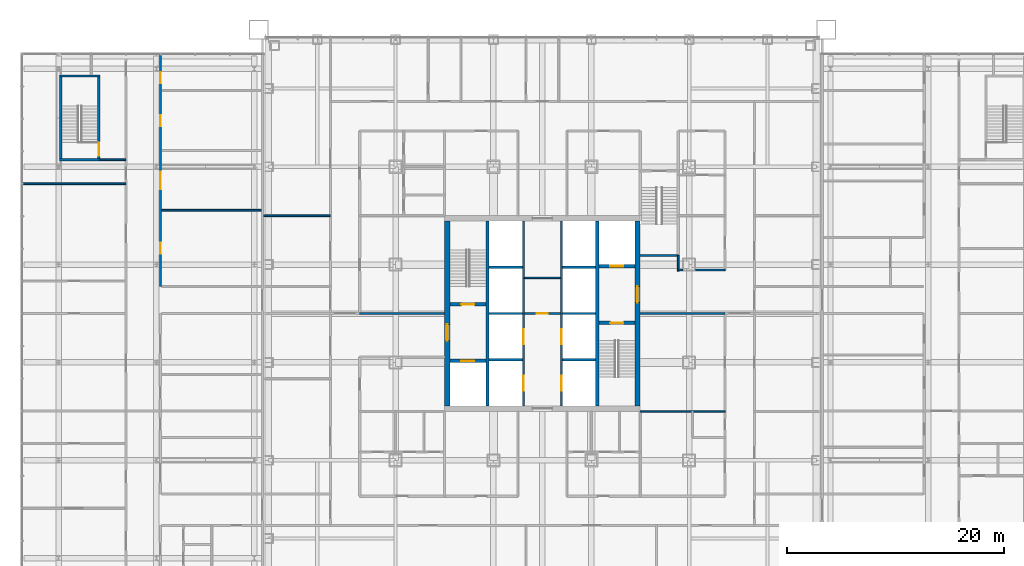
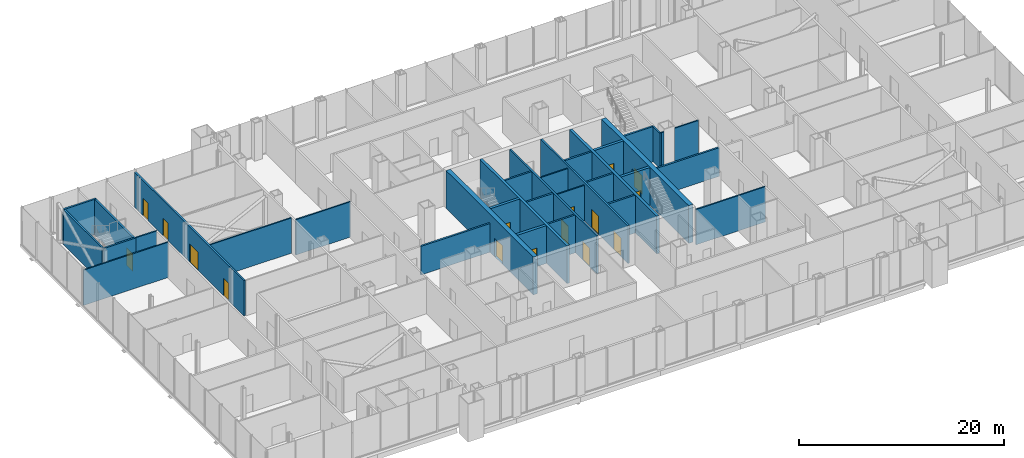
# One storey, part 17 of 25: 34 walls, 16 doors, 16 openings.
"""IFC4 building model written with IfcOpenShell, lengths in metres."""

from ifc_helpers import new_model, si_unit, direction, frame, frame_2d, origin, place, context, subcontext, project, spatial, rectangle, extrude, material, layer, layer_set, type_object, element, fill, save


model = new_model("IFC4")

# Units and contexts
model_context = context("Model", 3, precision=1e-05, world=origin(), true_north=direction((0.0, 1.0)))
body_context = subcontext(model_context, "Body", "Model", "MODEL_VIEW")
ifc_project = project(units=[si_unit("LENGTHUNIT", "METRE"), si_unit("AREAUNIT", "SQUARE_METRE"), si_unit("VOLUMEUNIT", "CUBIC_METRE"), si_unit("PLANEANGLEUNIT", "RADIAN"), si_unit("MASSUNIT", "GRAM", prefix="KILO")], contexts=[model_context])

# Site, building, storey
site_placement = place(None, origin())
site = spatial("IfcSite", under=ifc_project, at=site_placement, CompositionType="ELEMENT")
building_placement = place(site_placement, origin())
building = spatial("IfcBuilding", under=site, at=building_placement, Name="Malebo Sky Hospital", CompositionType="ELEMENT")
storey_placement = place(building_placement, frame((0.0, 0.0, 16.5)))
storey = spatial("IfcBuildingStorey", under=building, at=storey_placement, Name="L03", CompositionType="ELEMENT", Elevation=16.5)

# Wall, openings, doors
ifc_material_1 = material(Name="Concrete C80/95", Category="concrete")
ifc_layer_1 = layer(ifc_material_1, 0.199951171875)
ifc_layer_set_1 = layer_set([ifc_layer_1], Name="CORE INNER WALL 200")
wall_type_1 = type_object("IfcWallType", Name="CORE INNER WALL 200", PredefinedType="SHEAR", material=ifc_layer_set_1)
wall_1_placement = place(storey_placement, frame((58.25, 53.5, 0.0), z_axis=(0.0, 0.0, 1.0), x_axis=(0.0, 1.0, 0.0)))
wall_1 = element("IfcWall", 1, at=wall_1_placement, inside=storey, type_object=wall_type_1, Name="Core wall LW L03", PredefinedType="SHEAR", context=body_context, shape_type="SweptSolid", body=[
    extrude(rectangle(XDim=17.0, YDim=0.199951171875, at=frame_2d((8.5, 0.0))), origin(), (0.0, 0.0, 1.0), 4.5),
])
opening_1_placement = place(wall_1_placement, frame((1.375, 0.0, 0.0)))
opening_1 = element("IfcOpeningElement", 2, at=opening_1_placement, cuts=wall_1, Name="Opening LD1", PredefinedType="OPENING", context=body_context, shape_type="SweptSolid", body=[
    extrude(rectangle(XDim=1.39990234375, YDim=2.199951171875, at=frame_2d((0.699951171875, 1.10009765625))), frame((0.0, 0.10986328125, 0.0), z_axis=(0.0, -1.0, 0.0), x_axis=(1.0, 0.0, 0.0)), (0.0, 0.0, 1.0), 0.219970703125),
])
opening_2_placement = place(wall_1_placement, frame((5.675048828125, 0.0, 0.0)))
opening_2 = element("IfcOpeningElement", 3, at=opening_2_placement, cuts=wall_1, Name="Opening LD1", PredefinedType="OPENING", context=body_context, shape_type="SweptSolid", body=[
    extrude(rectangle(XDim=1.39990234375, YDim=2.199951171875, at=frame_2d((0.699951171875, 1.10009765625))), frame((0.0, 0.10986328125, 0.0), z_axis=(0.0, -1.0, 0.0), x_axis=(1.0, 0.0, 0.0)), (0.0, 0.0, 1.0), 0.219970703125),
])
ifc_material_2 = material(Name="Stainless steel sliding landing door", Category="steel")
door_type_1 = type_object("IfcDoorType", Name="LIFT LANDING DOOR 1400", OperationType="SLIDING_TO_LEFT", PredefinedType="DOOR", material=ifc_material_2)
door_1_placement = place(opening_1_placement, origin())
door_1 = element("IfcDoor", 4, at=door_1_placement, inside=storey, type_object=door_type_1, Name="Lift W1 landing door", OperationType="SLIDING_TO_LEFT", OverallHeight=2.199951171875, OverallWidth=1.39990234375, PredefinedType="DOOR", context=body_context, shape_type="SweptSolid", body=[
    extrude(rectangle(XDim=1.39990234375, YDim=2.199951171875, at=frame_2d((0.699951171875, 1.10009765625))), frame((0.0, 0.02490234375, 0.0), z_axis=(0.0, -1.0, 0.0), x_axis=(1.0, 0.0, 0.0)), (0.0, 0.0, 1.0), 0.050048828125),
])
fill(opening_1, door_1)
door_2_placement = place(opening_2_placement, origin())
door_2 = element("IfcDoor", 5, at=door_2_placement, inside=storey, type_object=door_type_1, Name="Lift W2 landing door", OperationType="SLIDING_TO_LEFT", OverallHeight=2.199951171875, OverallWidth=1.39990234375, PredefinedType="DOOR", context=body_context, shape_type="SweptSolid", body=[
    extrude(rectangle(XDim=1.39990234375, YDim=2.199951171875, at=frame_2d((0.699951171875, 1.10009765625))), frame((0.0, 0.02490234375, 0.0), z_axis=(0.0, -1.0, 0.0), x_axis=(1.0, 0.0, 0.0)), (0.0, 0.0, 1.0), 0.050048828125),
])
fill(opening_2, door_2)

wall_2_placement = place(storey_placement, frame((61.75, 53.5, 0.0), z_axis=(0.0, 0.0, 1.0), x_axis=(0.0, 1.0, 0.0)))
wall_2 = element("IfcWall", 6, at=wall_2_placement, inside=storey, type_object=wall_type_1, Name="Core wall LE L03", PredefinedType="SHEAR", context=body_context, shape_type="SweptSolid", body=[
    extrude(rectangle(XDim=17.0, YDim=0.199951171875, at=frame_2d((8.5, 0.0))), origin(), (0.0, 0.0, 1.0), 4.5),
])
opening_3_placement = place(wall_2_placement, frame((1.375, 0.0, 0.0)))
opening_3 = element("IfcOpeningElement", 7, at=opening_3_placement, cuts=wall_2, Name="Opening LD1", PredefinedType="OPENING", context=body_context, shape_type="SweptSolid", body=[
    extrude(rectangle(XDim=1.39990234375, YDim=2.199951171875, at=frame_2d((0.699951171875, 1.10009765625))), frame((0.0, 0.10986328125, 0.0), z_axis=(0.0, -1.0, 0.0), x_axis=(1.0, 0.0, 0.0)), (0.0, 0.0, 1.0), 0.219970703125),
])
opening_4_placement = place(wall_2_placement, frame((5.675048828125, 0.0, 0.0)))
opening_4 = element("IfcOpeningElement", 8, at=opening_4_placement, cuts=wall_2, Name="Opening LD1", PredefinedType="OPENING", context=body_context, shape_type="SweptSolid", body=[
    extrude(rectangle(XDim=1.39990234375, YDim=2.199951171875, at=frame_2d((0.699951171875, 1.10009765625))), frame((0.0, 0.10986328125, 0.0), z_axis=(0.0, -1.0, 0.0), x_axis=(1.0, 0.0, 0.0)), (0.0, 0.0, 1.0), 0.219970703125),
])
door_3_placement = place(opening_3_placement, origin())
door_3 = element("IfcDoor", 9, at=door_3_placement, inside=storey, type_object=door_type_1, Name="Lift E1 landing door", OperationType="SLIDING_TO_LEFT", OverallHeight=2.199951171875, OverallWidth=1.39990234375, PredefinedType="DOOR", context=body_context, shape_type="SweptSolid", body=[
    extrude(rectangle(XDim=1.39990234375, YDim=2.199951171875, at=frame_2d((0.699951171875, 1.10009765625))), frame((0.0, 0.02490234375, 0.0), z_axis=(0.0, -1.0, 0.0), x_axis=(1.0, 0.0, 0.0)), (0.0, 0.0, 1.0), 0.050048828125),
])
fill(opening_3, door_3)
door_4_placement = place(opening_4_placement, origin())
door_4 = element("IfcDoor", 10, at=door_4_placement, inside=storey, type_object=door_type_1, Name="Lift E2 landing door", OperationType="SLIDING_TO_LEFT", OverallHeight=2.199951171875, OverallWidth=1.39990234375, PredefinedType="DOOR", context=body_context, shape_type="SweptSolid", body=[
    extrude(rectangle(XDim=1.39990234375, YDim=2.199951171875, at=frame_2d((0.699951171875, 1.10009765625))), frame((0.0, 0.02490234375, 0.0), z_axis=(0.0, -1.0, 0.0), x_axis=(1.0, 0.0, 0.0)), (0.0, 0.0, 1.0), 0.050048828125),
])
fill(opening_4, door_4)

# Walls
for number, where, z_axis, x_axis, name in (
    (11, (55.10009765625, 57.75, 0.0), (0.0, 0.0, 1.0), (1.0, 0.0, 0.0), "Core wall SW0 L03"),
    (12, (61.85009765625, 57.75, 0.0), (0.0, 0.0, 1.0), (1.0, 0.0, 0.0), "Core wall SE0 L03"),
    (13, (55.10009765625, 62.0, 0.0), (0.0, 0.0, 1.0), (1.0, 0.0, 0.0), "Core wall SW1 L03"),
    (14, (61.85009765625, 62.0, 0.0), (0.0, 0.0, 1.0), (1.0, 0.0, 0.0), "Core wall SE1 L03"),
    (15, (55.10009765625, 66.25, 0.0), (0.0, 0.0, 1.0), (1.0, 0.0, 0.0), "Core wall SW2 L03"),
    (16, (61.85009765625, 66.25, 0.0), (0.0, 0.0, 1.0), (1.0, 0.0, 0.0), "Core wall SE2 L03"),
):
    element("IfcWall", number, at=place(storey_placement, frame(where, z_axis=z_axis, x_axis=x_axis)), inside=storey, type_object=wall_type_1, Name=name, PredefinedType="SHEAR", context=body_context, shape_type="SweptSolid", body=[
        extrude(rectangle(XDim=3.0498046875, YDim=0.199951171875, at=frame_2d((1.52490234375, 0.0))), origin(), (0.0, 0.0, 1.0), 4.5),
    ])
ifc_layer_2 = layer(ifc_material_1, 0.300048828125)
ifc_layer_set_2 = layer_set([ifc_layer_2], Name="CORE INNER WALL 300")
wall_type_2 = type_object("IfcWallType", Name="CORE INNER WALL 300", PredefinedType="SHEAR", material=ifc_layer_set_2)
for number, where, z_axis, x_axis, name in (
    (17, (54.949951171875, 53.5, 0.0), (0.0, 0.0, 1.0), (0.0, 1.0, 0.0), "Core wall XW L03"),
    (18, (65.050048828125, 53.5, 0.0), (0.0, 0.0, 1.0), (0.0, 1.0, 0.0), "Core wall XE L03"),
):
    element("IfcWall", number, at=place(storey_placement, frame(where, z_axis=z_axis, x_axis=x_axis)), inside=storey, type_object=wall_type_2, Name=name, PredefinedType="SHEAR", context=body_context, shape_type="SweptSolid", body=[
        extrude(rectangle(XDim=17.0, YDim=0.300048828125, at=frame_2d((8.5, 0.0))), origin(), (0.0, 0.0, 1.0), 4.5),
    ])

# Wall, opening, door
wall_3_placement = place(storey_placement, frame((51.5, 62.85009765625, 0.0), z_axis=(0.0, 0.0, 1.0), x_axis=(1.0, 0.0, 0.0)))
wall_3 = element("IfcWall", 19, at=wall_3_placement, inside=storey, type_object=wall_type_2, Name="Core wall W1 L03", PredefinedType="SHEAR", context=body_context, shape_type="SweptSolid", body=[
    extrude(rectangle(XDim=3.300048828125, YDim=0.300048828125, at=frame_2d((1.64990234375, 0.0))), origin(), (0.0, 0.0, 1.0), 4.5),
])
opening_5_placement = place(wall_3_placement, frame((1.050048828125, 0.0, 0.0)))
opening_5 = element("IfcOpeningElement", 20, at=opening_5_placement, cuts=wall_3, Name="Opening D08", PredefinedType="OPENING", context=body_context, shape_type="SweptSolid", body=[
    extrude(rectangle(XDim=1.199951171875, YDim=2.10009765625, at=frame_2d((0.60009765625, 1.050048828125))), frame((0.0, 0.159912109375, 0.0), z_axis=(0.0, -1.0, 0.0), x_axis=(1.0, 0.0, 0.0)), (0.0, 0.0, 1.0), 0.320068359375),
])
ifc_material_3 = material(Name="Hardwood-faced door leaf in steel frame", Category="steel")
door_type_2 = type_object("IfcDoorType", Name="STAIR DOOR 1200", OperationType="SINGLE_SWING_LEFT", PredefinedType="DOOR", material=ifc_material_3)
door_5_placement = place(opening_5_placement, origin())
door_5 = element("IfcDoor", 21, at=door_5_placement, inside=storey, type_object=door_type_2, Name="Stair S1 door", OperationType="SINGLE_SWING_LEFT", OverallHeight=2.10009765625, OverallWidth=1.199951171875, PredefinedType="DOOR", context=body_context, shape_type="SweptSolid", body=[
    extrude(rectangle(XDim=1.199951171875, YDim=2.10009765625, at=frame_2d((0.60009765625, 1.050048828125))), frame((0.0, 0.02490234375, 0.0), z_axis=(0.0, -1.0, 0.0), x_axis=(1.0, 0.0, 0.0)), (0.0, 0.0, 1.0), 0.050048828125),
])
fill(opening_5, door_5)

wall_4_placement = place(storey_placement, frame((51.5, 57.64990234375, 0.0), z_axis=(0.0, 0.0, 1.0), x_axis=(1.0, 0.0, 0.0)))
wall_4 = element("IfcWall", 22, at=wall_4_placement, inside=storey, type_object=wall_type_2, Name="Core wall W2 L03", PredefinedType="SHEAR", context=body_context, shape_type="SweptSolid", body=[
    extrude(rectangle(XDim=3.300048828125, YDim=0.300048828125, at=frame_2d((1.64990234375, 0.0))), origin(), (0.0, 0.0, 1.0), 4.5),
])
opening_6_placement = place(wall_4_placement, frame((1.050048828125, 0.0, 0.0)))
opening_6 = element("IfcOpeningElement", 23, at=opening_6_placement, cuts=wall_4, Name="Opening LD2", PredefinedType="OPENING", context=body_context, shape_type="SweptSolid", body=[
    extrude(rectangle(XDim=1.199951171875, YDim=2.199951171875, at=frame_2d((0.60009765625, 1.10009765625))), frame((0.0, 0.159912109375, 0.0), z_axis=(0.0, -1.0, 0.0), x_axis=(1.0, 0.0, 0.0)), (0.0, 0.0, 1.0), 0.320068359375),
])
door_type_3 = type_object("IfcDoorType", Name="FIRE-FIGHTING LIFT LANDING DOOR 1200", OperationType="SLIDING_TO_LEFT", PredefinedType="DOOR", material=ifc_material_2)
door_6_placement = place(opening_6_placement, origin())
door_6 = element("IfcDoor", 24, at=door_6_placement, inside=storey, type_object=door_type_3, Name="Lift FL1 landing door", OperationType="SLIDING_TO_LEFT", OverallHeight=2.199951171875, OverallWidth=1.199951171875, PredefinedType="DOOR", context=body_context, shape_type="SweptSolid", body=[
    extrude(rectangle(XDim=1.199951171875, YDim=2.199951171875, at=frame_2d((0.60009765625, 1.10009765625))), frame((0.0, 0.02490234375, 0.0), z_axis=(0.0, -1.0, 0.0), x_axis=(1.0, 0.0, 0.0)), (0.0, 0.0, 1.0), 0.050048828125),
])
fill(opening_6, door_6)

wall_5_placement = place(storey_placement, frame((65.199951171875, 61.14990234375, 0.0), z_axis=(0.0, 0.0, 1.0), x_axis=(1.0, 0.0, 0.0)))
wall_5 = element("IfcWall", 25, at=wall_5_placement, inside=storey, type_object=wall_type_2, Name="Core wall E1 L03", PredefinedType="SHEAR", context=body_context, shape_type="SweptSolid", body=[
    extrude(rectangle(XDim=3.300048828125, YDim=0.300048828125, at=frame_2d((1.64990234375, 0.0))), origin(), (0.0, 0.0, 1.0), 4.5),
])
opening_7_placement = place(wall_5_placement, frame((1.050048828125, 0.0, 0.0)))
opening_7 = element("IfcOpeningElement", 26, at=opening_7_placement, cuts=wall_5, Name="Opening D08", PredefinedType="OPENING", context=body_context, shape_type="SweptSolid", body=[
    extrude(rectangle(XDim=1.199951171875, YDim=2.10009765625, at=frame_2d((0.60009765625, 1.050048828125))), frame((0.0, 0.159912109375, 0.0), z_axis=(0.0, -1.0, 0.0), x_axis=(1.0, 0.0, 0.0)), (0.0, 0.0, 1.0), 0.320068359375),
])
door_7_placement = place(opening_7_placement, origin())
door_7 = element("IfcDoor", 27, at=door_7_placement, inside=storey, type_object=door_type_2, Name="Stair S2 door", OperationType="SINGLE_SWING_LEFT", OverallHeight=2.10009765625, OverallWidth=1.199951171875, PredefinedType="DOOR", context=body_context, shape_type="SweptSolid", body=[
    extrude(rectangle(XDim=1.199951171875, YDim=2.10009765625, at=frame_2d((0.60009765625, 1.050048828125))), frame((0.0, 0.02490234375, 0.0), z_axis=(0.0, -1.0, 0.0), x_axis=(1.0, 0.0, 0.0)), (0.0, 0.0, 1.0), 0.050048828125),
])
fill(opening_7, door_7)

wall_6_placement = place(storey_placement, frame((65.199951171875, 66.35009765625, 0.0), z_axis=(0.0, 0.0, 1.0), x_axis=(1.0, 0.0, 0.0)))
wall_6 = element("IfcWall", 28, at=wall_6_placement, inside=storey, type_object=wall_type_2, Name="Core wall E2 L03", PredefinedType="SHEAR", context=body_context, shape_type="SweptSolid", body=[
    extrude(rectangle(XDim=3.300048828125, YDim=0.300048828125, at=frame_2d((1.64990234375, 0.0))), origin(), (0.0, 0.0, 1.0), 4.5),
])
opening_8_placement = place(wall_6_placement, frame((1.050048828125, 0.0, 0.0)))
opening_8 = element("IfcOpeningElement", 29, at=opening_8_placement, cuts=wall_6, Name="Opening LD2", PredefinedType="OPENING", context=body_context, shape_type="SweptSolid", body=[
    extrude(rectangle(XDim=1.199951171875, YDim=2.199951171875, at=frame_2d((0.60009765625, 1.10009765625))), frame((0.0, 0.159912109375, 0.0), z_axis=(0.0, -1.0, 0.0), x_axis=(1.0, 0.0, 0.0)), (0.0, 0.0, 1.0), 0.320068359375),
])
door_8_placement = place(opening_8_placement, origin())
door_8 = element("IfcDoor", 30, at=door_8_placement, inside=storey, type_object=door_type_3, Name="Lift FL2 landing door", OperationType="SLIDING_TO_LEFT", OverallHeight=2.199951171875, OverallWidth=1.199951171875, PredefinedType="DOOR", context=body_context, shape_type="SweptSolid", body=[
    extrude(rectangle(XDim=1.199951171875, YDim=2.199951171875, at=frame_2d((0.60009765625, 1.10009765625))), frame((0.0, 0.02490234375, 0.0), z_axis=(0.0, -1.0, 0.0), x_axis=(1.0, 0.0, 0.0)), (0.0, 0.0, 1.0), 0.050048828125),
])
fill(opening_8, door_8)

ifc_layer_3 = layer(ifc_material_1, 0.5)
ifc_layer_set_3 = layer_set([ifc_layer_3], Name="CORE WALL 500")
wall_type_3 = type_object("IfcWallType", Name="CORE WALL 500", PredefinedType="SHEAR", material=ifc_layer_set_3)
wall_7_placement = place(storey_placement, frame((51.25, 53.5, 0.0), z_axis=(0.0, 0.0, 1.0), x_axis=(0.0, 1.0, 0.0)))
wall_7 = element("IfcWall", 31, at=wall_7_placement, inside=storey, type_object=wall_type_3, Name="Core wall W L03", PredefinedType="SHEAR", context=body_context, shape_type="SweptSolid", body=[
    extrude(rectangle(XDim=17.0, YDim=0.5, at=frame_2d((8.5, 0.0))), origin(), (0.0, 0.0, 1.0), 4.5),
])
opening_9_placement = place(wall_7_placement, frame((6.0, 0.0, 0.0)))
opening_9 = element("IfcOpeningElement", 32, at=opening_9_placement, cuts=wall_7, Name="Opening D07", PredefinedType="OPENING", context=body_context, shape_type="SweptSolid", body=[
    extrude(rectangle(XDim=1.5, YDim=2.199951171875, at=frame_2d((0.75, 1.10009765625))), frame((0.0, 0.260009765625, 0.0), z_axis=(0.0, -1.0, 0.0), x_axis=(1.0, 0.0, 0.0)), (0.0, 0.0, 1.0), 0.52001953125),
])
door_type_4 = type_object("IfcDoorType", Name="FIRE-FIGHTING LOBBY DOOR PAIR 1500", OperationType="DOUBLE_DOOR_SINGLE_SWING", PredefinedType="DOOR", material=ifc_material_3)
door_9_placement = place(opening_9_placement, origin())
door_9 = element("IfcDoor", 33, at=door_9_placement, inside=storey, type_object=door_type_4, Name="Fire-fighting lobby door west", OperationType="DOUBLE_DOOR_SINGLE_SWING", OverallHeight=2.199951171875, OverallWidth=1.5, PredefinedType="DOOR", context=body_context, shape_type="SweptSolid", body=[
    extrude(rectangle(XDim=1.5, YDim=2.199951171875, at=frame_2d((0.75, 1.10009765625))), frame((0.0, 0.02490234375, 0.0), z_axis=(0.0, -1.0, 0.0), x_axis=(1.0, 0.0, 0.0)), (0.0, 0.0, 1.0), 0.050048828125),
])
fill(opening_9, door_9)

wall_8_placement = place(storey_placement, frame((68.75, 53.5, 0.0), z_axis=(0.0, 0.0, 1.0), x_axis=(0.0, 1.0, 0.0)))
wall_8 = element("IfcWall", 34, at=wall_8_placement, inside=storey, type_object=wall_type_3, Name="Core wall E L03", PredefinedType="SHEAR", context=body_context, shape_type="SweptSolid", body=[
    extrude(rectangle(XDim=17.0, YDim=0.5, at=frame_2d((8.5, 0.0))), origin(), (0.0, 0.0, 1.0), 4.5),
])
opening_10_placement = place(wall_8_placement, frame((9.5, 0.0, 0.0)))
opening_10 = element("IfcOpeningElement", 35, at=opening_10_placement, cuts=wall_8, Name="Opening D07", PredefinedType="OPENING", context=body_context, shape_type="SweptSolid", body=[
    extrude(rectangle(XDim=1.5, YDim=2.199951171875, at=frame_2d((0.75, 1.10009765625))), frame((0.0, 0.260009765625, 0.0), z_axis=(0.0, -1.0, 0.0), x_axis=(1.0, 0.0, 0.0)), (0.0, 0.0, 1.0), 0.52001953125),
])
door_10_placement = place(opening_10_placement, origin())
door_10 = element("IfcDoor", 36, at=door_10_placement, inside=storey, type_object=door_type_4, Name="Fire-fighting lobby door east", OperationType="DOUBLE_DOOR_SINGLE_SWING", OverallHeight=2.199951171875, OverallWidth=1.5, PredefinedType="DOOR", context=body_context, shape_type="SweptSolid", body=[
    extrude(rectangle(XDim=1.5, YDim=2.199951171875, at=frame_2d((0.75, 1.10009765625))), frame((0.0, 0.02490234375, 0.0), z_axis=(0.0, -1.0, 0.0), x_axis=(1.0, 0.0, 0.0)), (0.0, 0.0, 1.0), 0.050048828125),
])
fill(opening_10, door_10)

# Wall, openings, doors
ifc_material_4 = material(Name="Gypsum board on steel studs", Category="steel")
ifc_layer_4 = layer(ifc_material_4, 0.199951171875)
ifc_layer_set_4 = layer_set([ifc_layer_4], Name="CORRIDOR WALL 200")
wall_type_4 = type_object("IfcWallType", Name="CORRIDOR WALL 200", PredefinedType="PARTITIONING", material=ifc_layer_set_4)
wall_9_placement = place(storey_placement, frame((24.882080078125, 64.5, 0.0), z_axis=(0.0, 0.0, 1.0), x_axis=(0.0, 1.0, 0.0)))
wall_9 = element("IfcWall", 37, at=wall_9_placement, inside=storey, type_object=wall_type_4, Name="Corridor Wall 200 WWC2C", PredefinedType="PARTITIONING", context=body_context, shape_type="SweptSolid", body=[
    extrude(rectangle(XDim=21.35009765625, YDim=0.199951171875, at=frame_2d((10.675048828125, 0.0))), origin(), (0.0, 0.0, 1.0), 4.199951171875),
])
opening_11_placement = place(wall_9_placement, frame((3.0, 0.0, 0.0)))
opening_11 = element("IfcOpeningElement", 38, at=opening_11_placement, cuts=wall_9, Name="Opening D03", PredefinedType="OPENING", context=body_context, shape_type="SweptSolid", body=[
    extrude(rectangle(XDim=1.0, YDim=2.10009765625, at=frame_2d((0.5, 1.050048828125))), frame((0.0, 0.10986328125, 0.0), z_axis=(0.0, -1.0, 0.0), x_axis=(1.0, 0.0, 0.0)), (0.0, 0.0, 1.0), 0.219970703125),
])
opening_12_placement = place(wall_9_placement, frame((8.949951171875, 0.0, 0.0)))
opening_12 = element("IfcOpeningElement", 39, at=opening_12_placement, cuts=wall_9, Name="Opening D14", PredefinedType="OPENING", context=body_context, shape_type="SweptSolid", body=[
    extrude(rectangle(XDim=1.60009765625, YDim=2.199951171875, at=frame_2d((0.800048828125, 1.10009765625))), frame((0.0, 0.10986328125, 0.0), z_axis=(0.0, -1.0, 0.0), x_axis=(1.0, 0.0, 0.0)), (0.0, 0.0, 1.0), 0.219970703125),
])
opening_13_placement = place(wall_9_placement, frame((14.75, 0.0, 0.0)))
opening_13 = element("IfcOpeningElement", 40, at=opening_13_placement, cuts=wall_9, Name="Opening D03", PredefinedType="OPENING", context=body_context, shape_type="SweptSolid", body=[
    extrude(rectangle(XDim=1.0, YDim=2.10009765625, at=frame_2d((0.5, 1.050048828125))), frame((0.0, 0.10986328125, 0.0), z_axis=(0.0, -1.0, 0.0), x_axis=(1.0, 0.0, 0.0)), (0.0, 0.0, 1.0), 0.219970703125),
])
opening_14_placement = place(wall_9_placement, frame((18.675048828125, 0.0, 0.0)))
opening_14 = element("IfcOpeningElement", 41, at=opening_14_placement, cuts=wall_9, Name="Opening D03", PredefinedType="OPENING", context=body_context, shape_type="SweptSolid", body=[
    extrude(rectangle(XDim=1.0, YDim=2.10009765625, at=frame_2d((0.5, 1.050048828125))), frame((0.0, 0.10986328125, 0.0), z_axis=(0.0, -1.0, 0.0), x_axis=(1.0, 0.0, 0.0)), (0.0, 0.0, 1.0), 0.219970703125),
])
door_type_5 = type_object("IfcDoorType", Name="DEPARTMENT DOOR PAIR 1600", OperationType="DOUBLE_DOOR_DOUBLE_SWING", PredefinedType="DOOR", material=ifc_material_3)
door_11_placement = place(opening_12_placement, origin())
door_11 = element("IfcDoor", 42, at=door_11_placement, inside=storey, type_object=door_type_5, Name="Consumables store door", OperationType="DOUBLE_DOOR_DOUBLE_SWING", OverallHeight=2.199951171875, OverallWidth=1.60009765625, PredefinedType="DOOR", context=body_context, shape_type="SweptSolid", body=[
    extrude(rectangle(XDim=1.60009765625, YDim=2.199951171875, at=frame_2d((0.800048828125, 1.10009765625))), frame((0.0, 0.02490234375, 0.0), z_axis=(0.0, -1.0, 0.0), x_axis=(1.0, 0.0, 0.0)), (0.0, 0.0, 1.0), 0.050048828125),
])
fill(opening_12, door_11)
door_type_6 = type_object("IfcDoorType", Name="ROOM DOOR 1000", OperationType="SINGLE_SWING_LEFT", PredefinedType="DOOR", material=ifc_material_3)
door_12_placement = place(opening_11_placement, origin())
door_12 = element("IfcDoor", 43, at=door_12_placement, inside=storey, type_object=door_type_6, Name="Sterile services staff base door", OperationType="SINGLE_SWING_LEFT", OverallHeight=2.10009765625, OverallWidth=1.0, PredefinedType="DOOR", context=body_context, shape_type="SweptSolid", body=[
    extrude(rectangle(XDim=1.0, YDim=2.10009765625, at=frame_2d((0.5, 1.050048828125))), frame((0.0, 0.02490234375, 0.0), z_axis=(0.0, -1.0, 0.0), x_axis=(1.0, 0.0, 0.0)), (0.0, 0.0, 1.0), 0.050048828125),
])
fill(opening_11, door_12)
door_13_placement = place(opening_13_placement, origin())
door_13 = element("IfcDoor", 44, at=door_13_placement, inside=storey, type_object=door_type_6, Name="Quality control room door", OperationType="SINGLE_SWING_LEFT", OverallHeight=2.10009765625, OverallWidth=1.0, PredefinedType="DOOR", context=body_context, shape_type="SweptSolid", body=[
    extrude(rectangle(XDim=1.0, YDim=2.10009765625, at=frame_2d((0.5, 1.050048828125))), frame((0.0, 0.02490234375, 0.0), z_axis=(0.0, -1.0, 0.0), x_axis=(1.0, 0.0, 0.0)), (0.0, 0.0, 1.0), 0.050048828125),
])
fill(opening_13, door_13)
door_14_placement = place(opening_14_placement, origin())
door_14 = element("IfcDoor", 45, at=door_14_placement, inside=storey, type_object=door_type_6, Name="Staff rest room door", OperationType="SINGLE_SWING_LEFT", OverallHeight=2.10009765625, OverallWidth=1.0, PredefinedType="DOOR", context=body_context, shape_type="SweptSolid", body=[
    extrude(rectangle(XDim=1.0, YDim=2.10009765625, at=frame_2d((0.5, 1.050048828125))), frame((0.0, 0.02490234375, 0.0), z_axis=(0.0, -1.0, 0.0), x_axis=(1.0, 0.0, 0.0)), (0.0, 0.0, 1.0), 0.050048828125),
])
fill(opening_14, door_14)

# Walls
ifc_layer_5 = layer(ifc_material_4, 0.14990234375)
ifc_layer_set_5 = layer_set([ifc_layer_5], Name="PARTITION 150")
wall_type_5 = type_object("IfcWallType", Name="PARTITION 150", PredefinedType="PARTITIONING", material=ifc_layer_set_5)
wall_10_placement = place(storey_placement, frame((40.5, 71.0, 0.0), z_axis=(0.0, 0.0, 1.0), x_axis=(-1.0, 0.0, 0.0)))
element("IfcWall", 46, at=wall_10_placement, inside=storey, type_object=wall_type_5, Name="Partition 150 WP+9.0", PredefinedType="PARTITIONING", context=body_context, shape_type="SweptSolid", body=[
    extrude(rectangle(XDim=6.14990234375, YDim=0.14990234375, at=frame_2d((3.074951171875, 0.0))), origin(), (0.0, 0.0, 1.0), 4.199951171875),
])
wall_11_placement = place(storey_placement, frame((72.5, 66.0, 0.0), z_axis=(0.0, 0.0, 1.0), x_axis=(1.0, 0.0, 0.0)))
element("IfcWall", 47, at=wall_11_placement, inside=storey, type_object=wall_type_5, Name="Partition 150 ESPA", PredefinedType="PARTITIONING", context=body_context, shape_type="SweptSolid", body=[
    extrude(rectangle(XDim=0.39990234375, YDim=0.14990234375, at=frame_2d((0.199951171875, 0.0))), origin(), (0.0, 0.0, 1.0), 4.199951171875),
])
wall_12_placement = place(storey_placement, frame((74.10009765625, 66.0, 0.0), z_axis=(0.0, 0.0, 1.0), x_axis=(1.0, 0.0, 0.0)))
element("IfcWall", 48, at=wall_12_placement, inside=storey, type_object=wall_type_5, Name="Partition 150 ESPA", PredefinedType="PARTITIONING", context=body_context, shape_type="SweptSolid", body=[
    extrude(rectangle(XDim=2.699951171875, YDim=0.14990234375, at=frame_2d((1.35009765625, 0.0))), origin(), (0.0, 0.0, 1.0), 4.199951171875),
])
wall_13_placement = place(storey_placement, frame((69.0, 53.0, 0.0), z_axis=(0.0, 0.0, 1.0), x_axis=(1.0, 0.0, 0.0)))
element("IfcWall", 49, at=wall_13_placement, inside=storey, type_object=wall_type_5, Name="Partition 150 ESP9", PredefinedType="PARTITIONING", context=body_context, shape_type="SweptSolid", body=[
    extrude(rectangle(XDim=7.800048828125, YDim=0.14990234375, at=frame_2d((3.89990234375, 0.0))), origin(), (0.0, 0.0, 1.0), 4.199951171875),
])

# Wall, opening, door
wall_14_placement = place(storey_placement, frame((58.35009765625, 62.0, 0.0), z_axis=(0.0, 0.0, 1.0), x_axis=(1.0, 0.0, 0.0)))
wall_14 = element("IfcWall", 50, at=wall_14_placement, inside=storey, type_object=wall_type_5, Name="Partition 150 LBN", PredefinedType="PARTITIONING", context=body_context, shape_type="SweptSolid", body=[
    extrude(rectangle(XDim=3.2998046875, YDim=0.14990234375, at=frame_2d((1.64990234375, 0.0))), origin(), (0.0, 0.0, 1.0), 4.199951171875),
])
opening_15_placement = place(wall_14_placement, frame((1.14990234375, 0.0, 0.0)))
opening_15 = element("IfcOpeningElement", 51, at=opening_15_placement, cuts=wall_14, Name="Opening D03", PredefinedType="OPENING", context=body_context, shape_type="SweptSolid", body=[
    extrude(rectangle(XDim=1.0, YDim=2.10009765625, at=frame_2d((0.5, 1.050048828125))), frame((0.0, 0.0849609375, 0.0), z_axis=(0.0, -1.0, 0.0), x_axis=(1.0, 0.0, 0.0)), (0.0, 0.0, 1.0), 0.169921875),
])
door_15_placement = place(opening_15_placement, origin())
door_15 = element("IfcDoor", 52, at=door_15_placement, inside=storey, type_object=door_type_6, Name="Equipment store door", OperationType="SINGLE_SWING_LEFT", OverallHeight=2.10009765625, OverallWidth=1.0, PredefinedType="DOOR", context=body_context, shape_type="SweptSolid", body=[
    extrude(rectangle(XDim=1.0, YDim=2.10009765625, at=frame_2d((0.5, 1.050048828125))), frame((0.0, 0.02490234375, 0.0), z_axis=(0.0, -1.0, 0.0), x_axis=(1.0, 0.0, 0.0)), (0.0, 0.0, 1.0), 0.050048828125),
])
fill(opening_15, door_15)

# Walls
wall_15_placement = place(storey_placement, frame((58.35009765625, 65.276611328125, 0.0), z_axis=(0.0, 0.0, 1.0), x_axis=(1.0, 0.0, 0.0)))
element("IfcWall", 53, at=wall_15_placement, inside=storey, type_object=wall_type_5, Name="Partition 150 LBN1", PredefinedType="PARTITIONING", context=body_context, shape_type="SweptSolid", body=[
    extrude(rectangle(XDim=3.2998046875, YDim=0.14990234375, at=frame_2d((1.64990234375, 0.0))), origin(), (0.0, 0.0, 1.0), 4.199951171875),
])
wall_16_placement = place(storey_placement, frame((19.300048828125, 76.14990234375, 0.0), z_axis=(0.0, 0.0, 1.0), x_axis=(1.0, 0.0, 0.0)))
element("IfcWall", 54, at=wall_16_placement, inside=storey, type_object=wall_type_5, Name="Partition 150 WLS", PredefinedType="PARTITIONING", context=body_context, shape_type="SweptSolid", body=[
    extrude(rectangle(XDim=2.39306640625, YDim=0.14990234375, at=frame_2d((1.196533203125, 0.0))), origin(), (0.0, 0.0, 1.0), 4.199951171875),
])
wall_17_placement = place(storey_placement, frame((12.14990234375, 73.9375, 0.0), z_axis=(0.0, 0.0, 1.0), x_axis=(1.0, 0.0, 0.0)))
element("IfcWall", 55, at=wall_17_placement, inside=storey, type_object=wall_type_5, Name="Partition 150 WSP", PredefinedType="PARTITIONING", context=body_context, shape_type="SweptSolid", body=[
    extrude(rectangle(XDim=9.543212890625, YDim=0.14990234375, at=frame_2d((4.771484375, 0.0))), origin(), (0.0, 0.0, 1.0), 4.199951171875),
])
wall_18_placement = place(storey_placement, frame((24.98193359375, 71.5, 0.0), z_axis=(0.0, 0.0, 1.0), x_axis=(1.0, 0.0, 0.0)))
element("IfcWall", 56, at=wall_18_placement, inside=storey, type_object=wall_type_5, Name="Partition 150 WIH08", PredefinedType="PARTITIONING", context=body_context, shape_type="SweptSolid", body=[
    extrude(rectangle(XDim=9.16796875, YDim=0.14990234375, at=frame_2d((4.583984375, 0.0))), origin(), (0.0, 0.0, 1.0), 4.199951171875),
])
wall_19_placement = place(storey_placement, frame((72.5, 65.89990234375, 0.0), z_axis=(0.0, 0.0, 1.0), x_axis=(0.0, 1.0, 0.0)))
element("IfcWall", 57, at=wall_19_placement, inside=storey, type_object=wall_type_5, Name="Partition 150 ST3C", PredefinedType="PARTITIONING", context=body_context, shape_type="SweptSolid", body=[
    extrude(rectangle(XDim=1.4501953125, YDim=0.14990234375, at=frame_2d((0.72509765625, 0.0))), origin(), (0.0, 0.0, 1.0), 4.199951171875),
])
ifc_material_5 = material(Name="Concrete blockwork", Category="masonry")
ifc_layer_6 = layer(ifc_material_5, 0.199951171875)
ifc_layer_set_6 = layer_set([ifc_layer_6], Name="SMOKE BARRIER WALL 200")
wall_type_6 = type_object("IfcWallType", Name="SMOKE BARRIER WALL 200", PredefinedType="SOLIDWALL", material=ifc_layer_set_6)
for number, where, z_axis, x_axis, name in (
    (58, (51.0, 62.0, 0.0), (0.0, 0.0, 1.0), (-1.0, 0.0, 0.0), "Smoke Barrier Wall 200 WSPB"),
    (59, (69.0, 62.0, 0.0), (0.0, 0.0, 1.0), (1.0, 0.0, 0.0), "Smoke Barrier Wall 200 ESPB"),
):
    element("IfcWall", number, at=place(storey_placement, frame(where, z_axis=z_axis, x_axis=x_axis)), inside=storey, type_object=wall_type_6, Name=name, PredefinedType="SOLIDWALL", context=body_context, shape_type="SweptSolid", body=[
        extrude(rectangle(XDim=7.800048828125, YDim=0.199951171875, at=frame_2d((3.89990234375, 0.0))), origin(), (0.0, 0.0, 1.0), 3.39990234375),
    ])
ifc_material_6 = material(Name="Concrete C40/50", Category="concrete")
ifc_layer_7 = layer(ifc_material_6, 0.199951171875)
ifc_layer_set_7 = layer_set([ifc_layer_7], Name="STAIR ENCLOSURE WALL 200")
wall_type_7 = type_object("IfcWallType", Name="STAIR ENCLOSURE WALL 200", PredefinedType="SOLIDWALL", material=ifc_layer_set_7)
for number, where, z_axis, x_axis, name in (
    (60, (15.60009765625, 76.14990234375, 0.0), (0.0, 0.0, 1.0), (1.0, 0.0, 0.0), "Stair Enclosure Wall 200 WSS"),
    (61, (15.60009765625, 83.85009765625, 0.0), (0.0, 0.0, 1.0), (1.0, 0.0, 0.0), "Stair Enclosure Wall 200 WSN"),
):
    element("IfcWall", number, at=place(storey_placement, frame(where, z_axis=z_axis, x_axis=x_axis)), inside=storey, type_object=wall_type_7, Name=name, PredefinedType="SOLIDWALL", context=body_context, shape_type="SweptSolid", body=[
        extrude(rectangle(XDim=3.699951171875, YDim=0.199951171875, at=frame_2d((1.85009765625, 0.0))), origin(), (0.0, 0.0, 1.0), 4.199951171875),
    ])
wall_20_placement = place(storey_placement, frame((15.699951171875, 76.25, 0.0), z_axis=(0.0, 0.0, 1.0), x_axis=(0.0, 1.0, 0.0)))
element("IfcWall", 62, at=wall_20_placement, inside=storey, type_object=wall_type_7, Name="Stair Enclosure Wall 200 WSW", PredefinedType="SOLIDWALL", context=body_context, shape_type="SweptSolid", body=[
    extrude(rectangle(XDim=7.5, YDim=0.199951171875, at=frame_2d((3.75, 0.0))), origin(), (0.0, 0.0, 1.0), 4.199951171875),
])

# Wall, opening, door
wall_21_placement = place(storey_placement, frame((19.199951171875, 76.25, 0.0), z_axis=(0.0, 0.0, 1.0), x_axis=(0.0, 1.0, 0.0)))
wall_21 = element("IfcWall", 63, at=wall_21_placement, inside=storey, type_object=wall_type_7, Name="Stair Enclosure Wall 200 WSE", PredefinedType="SOLIDWALL", context=body_context, shape_type="SweptSolid", body=[
    extrude(rectangle(XDim=7.5, YDim=0.199951171875, at=frame_2d((3.75, 0.0))), origin(), (0.0, 0.0, 1.0), 4.199951171875),
])
opening_16_placement = place(wall_21_placement, frame((0.25, 0.0, 0.0)))
opening_16 = element("IfcOpeningElement", 64, at=opening_16_placement, cuts=wall_21, Name="Opening D08", PredefinedType="OPENING", context=body_context, shape_type="SweptSolid", body=[
    extrude(rectangle(XDim=1.199951171875, YDim=2.10009765625, at=frame_2d((0.60009765625, 1.050048828125))), frame((0.0, 0.10986328125, 0.0), z_axis=(0.0, -1.0, 0.0), x_axis=(1.0, 0.0, 0.0)), (0.0, 0.0, 1.0), 0.219970703125),
])
door_16_placement = place(opening_16_placement, origin())
door_16 = element("IfcDoor", 65, at=door_16_placement, inside=storey, type_object=door_type_2, Name="Stair WS door", OperationType="SINGLE_SWING_LEFT", OverallHeight=2.10009765625, OverallWidth=1.199951171875, PredefinedType="DOOR", context=body_context, shape_type="SweptSolid", body=[
    extrude(rectangle(XDim=1.199951171875, YDim=2.10009765625, at=frame_2d((0.60009765625, 1.050048828125))), frame((0.0, 0.02490234375, 0.0), z_axis=(0.0, -1.0, 0.0), x_axis=(1.0, 0.0, 0.0)), (0.0, 0.0, 1.0), 0.050048828125),
])
fill(opening_16, door_16)

# Wall
wall_22_placement = place(storey_placement, frame((69.0, 67.35009765625, 0.0), z_axis=(0.0, 0.0, 1.0), x_axis=(1.0, 0.0, 0.0)))
element("IfcWall", 66, at=wall_22_placement, inside=storey, type_object=wall_type_7, Name="Stair Enclosure Wall 200 ST3S", PredefinedType="SOLIDWALL", context=body_context, shape_type="SweptSolid", body=[
    extrude(rectangle(XDim=3.5, YDim=0.199951171875, at=frame_2d((1.75, 0.0))), origin(), (0.0, 0.0, 1.0), 4.199951171875),
])

save(model, "model.ifc")
